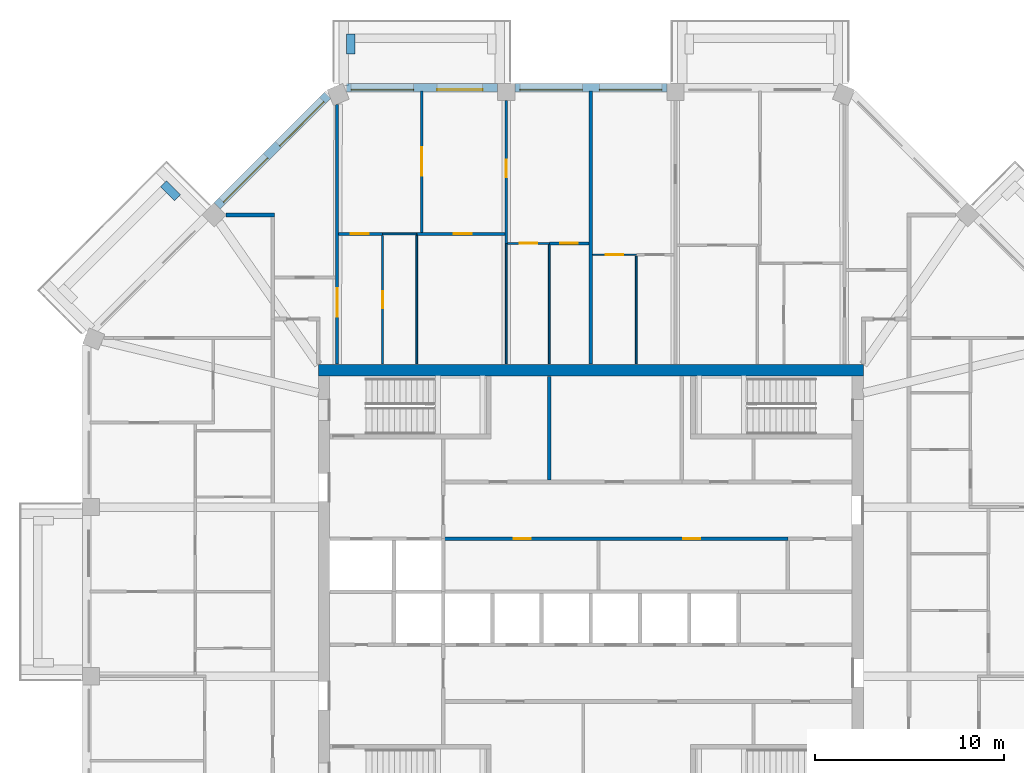
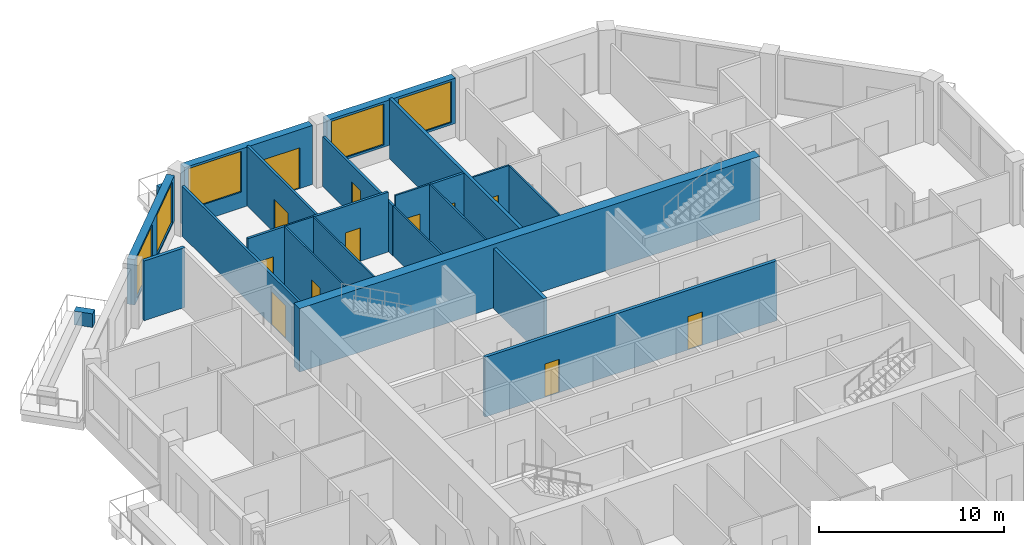
# One storey, part 8 of 13: 24 walls, 12 doors, 5 windows, 17 openings.
"""IFC4 building model written with IfcOpenShell, lengths in metres."""

from ifc_helpers import new_model, si_unit, direction, frame, frame_2d, origin, place, context, subcontext, project, spatial, rectangle, extrude, material, layer, layer_set, type_object, element, fill, save


model = new_model("IFC4")

# Units and contexts
model_context = context("Model", 3, precision=1e-05, world=origin(), true_north=direction((0.0, 1.0)))
body_context = subcontext(model_context, "Body", "Model", "MODEL_VIEW")
ifc_project = project(units=[si_unit("LENGTHUNIT", "METRE"), si_unit("AREAUNIT", "SQUARE_METRE"), si_unit("VOLUMEUNIT", "CUBIC_METRE"), si_unit("PLANEANGLEUNIT", "RADIAN"), si_unit("MASSUNIT", "GRAM", prefix="KILO")], contexts=[model_context])

# Site, building, storey
site_placement = place(None, origin())
site = spatial("IfcSite", under=ifc_project, at=site_placement, CompositionType="ELEMENT")
building_placement = place(site_placement, origin())
building = spatial("IfcBuilding", under=site, at=building_placement, Name="Msitu Wima Residences", CompositionType="ELEMENT")
storey_placement = place(building_placement, frame((0.0, 0.0, 285.300048828125)))
storey = spatial("IfcBuildingStorey", under=building, at=storey_placement, Name="L66", CompositionType="ELEMENT", Elevation=285.300048828125)

# Walls
ifc_material_1 = material(Name="Facing brick")
ifc_layer_1 = layer(ifc_material_1, 0.06494140625, Name="Facing brick")
ifc_material_2 = material(Name="Concrete C40/50", Category="concrete")
ifc_layer_2 = layer(ifc_material_2, 0.156005859375, Name="Concrete C40/50")
ifc_material_3 = material(Name="Waterproofing membrane")
ifc_layer_3 = layer(ifc_material_3, 0.00390625, Name="Waterproofing membrane")
ifc_material_4 = material(Name="Planting soil and planting")
ifc_layer_4 = layer(ifc_material_4, 0.22509765625, Name="Planting soil and planting")
ifc_layer_set_1 = layer_set([ifc_layer_1, ifc_layer_2, ifc_layer_3, ifc_layer_4], Name="Concrete C40/50")
wall_type_1 = type_object("IfcWallType", Name="Balcony planter PLANTER PL450", PredefinedType="USERDEFINED", material=ifc_layer_set_1)
for number, where, z_axis, x_axis, name in (
    (1, (-12.680908203125, 28.39990234375, 0.0), (0.0, 0.0, 1.0), (0.0, 1.0, 0.0), "Balcony planter N2 L66"),
    (2, (-21.829833984375, 20.804443359375, 0.0), (0.0, 0.0, 1.0), (-0.707106781187, 0.707106781187, 0.0), "Balcony planter NW1 L66"),
):
    element("IfcWall", number, at=place(storey_placement, frame(where, z_axis=z_axis, x_axis=x_axis)), inside=storey, type_object=wall_type_1, Name=name, ObjectType="PLANTER", PredefinedType="USERDEFINED", context=body_context, shape_type="SweptSolid", body=[
        extrude(rectangle(XDim=1.050048828125, YDim=0.449951171875, at=frame_2d((0.52490234375, 0.0))), origin(), (0.0, 0.0, 1.0), 0.89990234375),
    ])

# Wall, openings, windows
ifc_material_5 = material(Name="Brick (red buff mix)", Category="masonry")
ifc_layer_5 = layer(ifc_material_5, 0.449951171875)
ifc_layer_set_2 = layer_set([ifc_layer_5], Name="Brick (red buff mix)")
wall_type_2 = type_object("IfcWallType", Name="Brick infill wall BW450", PredefinedType="SOLIDWALL", material=ifc_layer_set_2)
wall_1_placement = place(storey_placement, frame((4.0185546875, 26.625, 0.89990234375), z_axis=(0.0, 0.0, 1.0), x_axis=(-1.0, 0.0, 0.0)))
wall_1 = element("IfcWall", 3, at=wall_1_placement, inside=storey, type_object=wall_type_2, Name="Brick infill wall L66 N1", PredefinedType="SOLIDWALL", context=body_context, shape_type="SweptSolid", body=[
    extrude(rectangle(XDim=8.037109375, YDim=0.449951171875, at=frame_2d((4.0185546875, 0.0))), origin(), (0.0, 0.0, 1.0), 3.0),
])
opening_1_placement = place(wall_1_placement, frame((0.2685546875, 0.0, 0.14990234375)))
opening_1 = element("IfcOpeningElement", 4, at=opening_1_placement, cuts=wall_1, Name="Opening W65-67.007", PredefinedType="OPENING", context=body_context, shape_type="SweptSolid", body=[
    extrude(rectangle(XDim=3.300048828125, YDim=2.699951171875, at=frame_2d((1.64990234375, 1.35009765625))), frame((0.0, 0.23486328125, 0.0), z_axis=(0.0, -1.0, 0.0), x_axis=(1.0, 0.0, 0.0)), (0.0, 0.0, 1.0), 0.469970703125),
])
opening_2_placement = place(wall_1_placement, frame((4.46875, 0.0, 0.14990234375)))
opening_2 = element("IfcOpeningElement", 5, at=opening_2_placement, cuts=wall_1, Name="Opening W65-67.008", PredefinedType="OPENING", context=body_context, shape_type="SweptSolid", body=[
    extrude(rectangle(XDim=3.300048828125, YDim=2.699951171875, at=frame_2d((1.64990234375, 1.35009765625))), frame((0.0, 0.23486328125, 0.0), z_axis=(0.0, -1.0, 0.0), x_axis=(1.0, 0.0, 0.0)), (0.0, 0.0, 1.0), 0.469970703125),
])
ifc_material_6 = material(Name="Anodised aluminium, bronze finish, clear low-emissivity double glazing", Category="aluminium")
window_type = type_object("IfcWindowType", Name="Window W3300x2700", PartitioningType="DOUBLE_PANEL_VERTICAL", PredefinedType="WINDOW", material=ifc_material_6)
window_1_placement = place(opening_1_placement, origin())
window_1 = element("IfcWindow", 6, at=window_1_placement, inside=storey, type_object=window_type, Name="Window L66 N1.1", OverallHeight=2.699951171875, OverallWidth=3.300048828125, PartitioningType="SINGLE_PANEL", PredefinedType="WINDOW", context=body_context, shape_type="SweptSolid", body=[
    extrude(rectangle(XDim=3.300048828125, YDim=2.699951171875, at=frame_2d((1.64990234375, 1.35009765625))), frame((0.0, 0.135009765625, 0.0), z_axis=(0.0, -1.0, 0.0), x_axis=(1.0, 0.0, 0.0)), (0.0, 0.0, 1.0), 0.06005859375),
])
fill(opening_1, window_1)
window_2_placement = place(opening_2_placement, origin())
window_2 = element("IfcWindow", 7, at=window_2_placement, inside=storey, type_object=window_type, Name="Window L66 N1.2", OverallHeight=2.699951171875, OverallWidth=3.300048828125, PartitioningType="SINGLE_PANEL", PredefinedType="WINDOW", context=body_context, shape_type="SweptSolid", body=[
    extrude(rectangle(XDim=3.300048828125, YDim=2.699951171875, at=frame_2d((1.64990234375, 1.35009765625))), frame((0.0, 0.135009765625, 0.0), z_axis=(0.0, -1.0, 0.0), x_axis=(1.0, 0.0, 0.0)), (0.0, 0.0, 1.0), 0.06005859375),
])
fill(opening_2, window_2)

# Wall, openings, door, window
wall_2_placement = place(storey_placement, frame((-4.918701171875, 26.625, 0.0), z_axis=(0.0, 0.0, 1.0), x_axis=(-1.0, 0.0, 0.0)))
wall_2 = element("IfcWall", 8, at=wall_2_placement, inside=storey, type_object=wall_type_2, Name="Brick infill wall L66 N2", PredefinedType="SOLIDWALL", context=body_context, shape_type="SweptSolid", body=[
    extrude(rectangle(XDim=8.0, YDim=0.449951171875, at=frame_2d((4.0, 0.0))), origin(), (0.0, 0.0, 1.0), 3.89990234375),
])
opening_3_placement = place(wall_2_placement, frame((0.800048828125, 0.0, 0.0)))
opening_3 = element("IfcOpeningElement", 9, at=opening_3_placement, cuts=wall_2, Name="Opening D65-67.003", PredefinedType="OPENING", context=body_context, shape_type="SweptSolid", body=[
    extrude(rectangle(XDim=2.39990234375, YDim=2.699951171875, at=frame_2d((1.199951171875, 1.35009765625))), frame((0.0, 0.23486328125, 0.0), z_axis=(0.0, -1.0, 0.0), x_axis=(1.0, 0.0, 0.0)), (0.0, 0.0, 1.0), 0.469970703125),
])
opening_4_placement = place(wall_2_placement, frame((4.4501953125, 0.0, 1.050048828125)))
opening_4 = element("IfcOpeningElement", 10, at=opening_4_placement, cuts=wall_2, Name="Opening W65-67.009", PredefinedType="OPENING", context=body_context, shape_type="SweptSolid", body=[
    extrude(rectangle(XDim=3.300048828125, YDim=2.699951171875, at=frame_2d((1.64990234375, 1.35009765625))), frame((0.0, 0.23486328125, 0.0), z_axis=(0.0, -1.0, 0.0), x_axis=(1.0, 0.0, 0.0)), (0.0, 0.0, 1.0), 0.469970703125),
])
door_type_1 = type_object("IfcDoorType", Name="Balcony door D2400x2700", OperationType="SLIDING_TO_LEFT", PredefinedType="DOOR", material=ifc_material_6)
door_1_placement = place(opening_3_placement, origin())
door_1 = element("IfcDoor", 11, at=door_1_placement, inside=storey, type_object=door_type_1, Name="Balcony door L66 N2", OperationType="SINGLE_SWING_LEFT", OverallHeight=2.699951171875, OverallWidth=2.39990234375, PredefinedType="DOOR", context=body_context, shape_type="SweptSolid", body=[
    extrude(rectangle(XDim=2.39990234375, YDim=2.699951171875, at=frame_2d((1.199951171875, 1.35009765625))), frame((0.0, 0.1298828125, 0.0), z_axis=(0.0, -1.0, 0.0), x_axis=(1.0, 0.0, 0.0)), (0.0, 0.0, 1.0), 0.050048828125),
])
fill(opening_3, door_1)
window_3_placement = place(opening_4_placement, origin())
window_3 = element("IfcWindow", 12, at=window_3_placement, inside=storey, type_object=window_type, Name="Window L66 N2.2", OverallHeight=2.699951171875, OverallWidth=3.300048828125, PartitioningType="SINGLE_PANEL", PredefinedType="WINDOW", context=body_context, shape_type="SweptSolid", body=[
    extrude(rectangle(XDim=3.300048828125, YDim=2.699951171875, at=frame_2d((1.64990234375, 1.35009765625))), frame((0.0, 0.135009765625, 0.0), z_axis=(0.0, -1.0, 0.0), x_axis=(1.0, 0.0, 0.0)), (0.0, 0.0, 1.0), 0.06005859375),
])
fill(opening_4, window_3)

# Wall, openings, windows
wall_3_placement = place(storey_placement, frame((-13.909423828125, 26.214599609375, 0.89990234375), z_axis=(0.0, 0.0, 1.0), x_axis=(-0.707106781187, -0.707106781187, 0.0)))
wall_3 = element("IfcWall", 13, at=wall_3_placement, inside=storey, type_object=wall_type_2, Name="Brick infill wall L66 NW0", PredefinedType="SOLIDWALL", context=body_context, shape_type="SweptSolid", body=[
    extrude(rectangle(XDim=8.251220703125, YDim=0.449951171875, at=frame_2d((4.12548828125, 0.0))), origin(), (0.0, 0.0, 1.0), 3.0),
])
opening_5_placement = place(wall_3_placement, frame((0.37548828125, 0.0, 0.14990234375)))
opening_5 = element("IfcOpeningElement", 14, at=opening_5_placement, cuts=wall_3, Name="Opening W65-67.013", PredefinedType="OPENING", context=body_context, shape_type="SweptSolid", body=[
    extrude(rectangle(XDim=3.300048828125, YDim=2.699951171875, at=frame_2d((1.64990234375, 1.35009765625))), frame((0.0, 0.23486328125, 0.0), z_axis=(0.0, -1.0, 0.0), x_axis=(1.0, 0.0, 0.0)), (0.0, 0.0, 1.0), 0.469970703125),
])
opening_6_placement = place(wall_3_placement, frame((4.57568359375, 0.0, 0.14990234375)))
opening_6 = element("IfcOpeningElement", 15, at=opening_6_placement, cuts=wall_3, Name="Opening W65-67.014", PredefinedType="OPENING", context=body_context, shape_type="SweptSolid", body=[
    extrude(rectangle(XDim=3.300048828125, YDim=2.699951171875, at=frame_2d((1.64990234375, 1.35009765625))), frame((0.0, 0.23486328125, 0.0), z_axis=(0.0, -1.0, 0.0), x_axis=(1.0, 0.0, 0.0)), (0.0, 0.0, 1.0), 0.469970703125),
])
window_4_placement = place(opening_5_placement, origin())
window_4 = element("IfcWindow", 16, at=window_4_placement, inside=storey, type_object=window_type, Name="Window L66 NW0.1", OverallHeight=2.699951171875, OverallWidth=3.300048828125, PartitioningType="SINGLE_PANEL", PredefinedType="WINDOW", context=body_context, shape_type="SweptSolid", body=[
    extrude(rectangle(XDim=3.300048828125, YDim=2.699951171875, at=frame_2d((1.64990234375, 1.35009765625))), frame((0.0, 0.135009765625, 0.0), z_axis=(0.0, -1.0, 0.0), x_axis=(1.0, 0.0, 0.0)), (0.0, 0.0, 1.0), 0.06005859375),
])
fill(opening_5, window_4)
window_5_placement = place(opening_6_placement, origin())
window_5 = element("IfcWindow", 17, at=window_5_placement, inside=storey, type_object=window_type, Name="Window L66 NW0.2", OverallHeight=2.699951171875, OverallWidth=3.300048828125, PartitioningType="SINGLE_PANEL", PredefinedType="WINDOW", context=body_context, shape_type="SweptSolid", body=[
    extrude(rectangle(XDim=3.300048828125, YDim=2.699951171875, at=frame_2d((1.64990234375, 1.35009765625))), frame((0.0, 0.135009765625, 0.0), z_axis=(0.0, -1.0, 0.0), x_axis=(1.0, 0.0, 0.0)), (0.0, 0.0, 1.0), 0.06005859375),
])
fill(opening_6, window_5)

# Wall
ifc_material_7 = material(Name="Concrete C50/60", Category="concrete")
ifc_layer_6 = layer(ifc_material_7, 0.60009765625)
ifc_layer_set_3 = layer_set([ifc_layer_6], Name="Concrete C50/60")
wall_type_3 = type_object("IfcWallType", Name="Core wall CW600 C50/60", PredefinedType="SHEAR", material=ifc_layer_set_3)
wall_4_placement = place(storey_placement, frame((-14.39990234375, 11.699951171875, 0.0), z_axis=(0.0, 0.0, 1.0), x_axis=(1.0, 0.0, 0.0)))
element("IfcWall", 18, at=wall_4_placement, inside=storey, type_object=wall_type_3, Name="Core wall", PredefinedType="SHEAR", context=body_context, shape_type="SweptSolid", body=[
    extrude(rectangle(XDim=28.7998046875, YDim=0.60009765625, at=frame_2d((14.39990234375, 0.0))), origin(), (0.0, 0.0, 1.0), 4.199951171875),
])

# Wall, openings, doors
ifc_material_8 = material(Name="Plaster")
ifc_layer_7 = layer(ifc_material_8, 0.011962890625, Name="Plaster")
ifc_material_9 = material(Name="Concrete blockwork", Category="masonry")
ifc_layer_8 = layer(ifc_material_9, 0.176025390625, Name="Concrete blockwork")
ifc_layer_9 = layer(ifc_material_8, 0.011962890625, Name="Plaster")
ifc_layer_set_4 = layer_set([ifc_layer_7, ifc_layer_8, ifc_layer_9], Name="Concrete blockwork")
wall_type_4 = type_object("IfcWallType", Name="Corridor wall FW200", PredefinedType="PARTITIONING", material=ifc_layer_set_4)
wall_5_placement = place(storey_placement, frame((-7.820068359375, 2.800048828125, 0.0), z_axis=(0.0, 0.0, 1.0), x_axis=(1.0, 0.0, 0.0)))
wall_5 = element("IfcWall", 19, at=wall_5_placement, inside=storey, type_object=wall_type_4, Name="Corridor wall", PredefinedType="PARTITIONING", context=body_context, shape_type="SweptSolid", body=[
    extrude(rectangle(XDim=18.239990234375, YDim=0.199951171875, at=frame_2d((9.1201171875, 0.0))), origin(), (0.0, 0.0, 1.0), 3.949951171875),
])
opening_7_placement = place(wall_5_placement, frame((3.75, 0.0, 0.0)))
opening_7 = element("IfcOpeningElement", 20, at=opening_7_placement, cuts=wall_5, Name="Opening D65-67.088", PredefinedType="OPENING", context=body_context, shape_type="SweptSolid", body=[
    extrude(rectangle(XDim=0.89990234375, YDim=2.199951171875, at=frame_2d((0.449951171875, 1.10009765625))), frame((0.0, 0.10986328125, 0.0), z_axis=(0.0, -1.0, 0.0), x_axis=(1.0, 0.0, 0.0)), (0.0, 0.0, 1.0), 0.219970703125),
])
opening_8_placement = place(wall_5_placement, frame((12.699951171875, 0.0, 0.0)))
opening_8 = element("IfcOpeningElement", 21, at=opening_8_placement, cuts=wall_5, Name="Opening D65-67.089", PredefinedType="OPENING", context=body_context, shape_type="SweptSolid", body=[
    extrude(rectangle(XDim=0.89990234375, YDim=2.199951171875, at=frame_2d((0.449951171875, 1.10009765625))), frame((0.0, 0.10986328125, 0.0), z_axis=(0.0, -1.0, 0.0), x_axis=(1.0, 0.0, 0.0)), (0.0, 0.0, 1.0), 0.219970703125),
])
ifc_material_10 = material(Name="Timber flush door", Category="wood")
door_type_2 = type_object("IfcDoorType", Name="Service door D05 900x2200", OperationType="SINGLE_SWING_LEFT", PredefinedType="DOOR", material=ifc_material_10)
door_2_placement = place(opening_7_placement, origin())
door_2 = element("IfcDoor", 22, at=door_2_placement, inside=storey, type_object=door_type_2, Name="Service door", OperationType="SINGLE_SWING_RIGHT", OverallHeight=2.199951171875, OverallWidth=0.89990234375, PredefinedType="DOOR", context=body_context, shape_type="SweptSolid", body=[
    extrude(rectangle(XDim=0.89990234375, YDim=2.199951171875, at=frame_2d((0.449951171875, 1.10009765625))), frame((0.0, 0.02490234375, 0.0), z_axis=(0.0, -1.0, 0.0), x_axis=(1.0, 0.0, 0.0)), (0.0, 0.0, 1.0), 0.050048828125),
])
fill(opening_7, door_2)
door_3_placement = place(opening_8_placement, origin())
door_3 = element("IfcDoor", 23, at=door_3_placement, inside=storey, type_object=door_type_2, Name="Service door", OperationType="SINGLE_SWING_LEFT", OverallHeight=2.199951171875, OverallWidth=0.89990234375, PredefinedType="DOOR", context=body_context, shape_type="SweptSolid", body=[
    extrude(rectangle(XDim=0.89990234375, YDim=2.199951171875, at=frame_2d((0.449951171875, 1.10009765625))), frame((0.0, 0.02490234375, 0.0), z_axis=(0.0, -1.0, 0.0), x_axis=(1.0, 0.0, 0.0)), (0.0, 0.0, 1.0), 0.050048828125),
])
fill(opening_8, door_3)

# Wall, opening, door
ifc_layer_10 = layer(ifc_material_8, 0.011962890625, Name="Plaster")
ifc_layer_11 = layer(ifc_material_9, 0.1259765625, Name="Concrete blockwork")
ifc_layer_12 = layer(ifc_material_8, 0.011962890625, Name="Plaster")
ifc_layer_set_5 = layer_set([ifc_layer_10, ifc_layer_11, ifc_layer_12], Name="Concrete blockwork")
wall_type_5 = type_object("IfcWallType", Name="Partition PW150", PredefinedType="PARTITIONING", material=ifc_layer_set_5)
wall_6_placement = place(storey_placement, frame((-13.406005859375, 12.030029296875, 0.0), z_axis=(0.0, 0.0, 1.0), x_axis=(0.0, 1.0, 0.0)))
wall_6 = element("IfcWall", 24, at=wall_6_placement, inside=storey, type_object=wall_type_5, Name="Partition", PredefinedType="PARTITIONING", context=body_context, shape_type="SweptSolid", body=[
    extrude(rectangle(XDim=13.701171875, YDim=0.14990234375, at=frame_2d((6.8505859375, 0.0))), origin(), (0.0, 0.0, 1.0), 3.300048828125),
])
opening_9_placement = place(wall_6_placement, frame((2.5, 0.0, 0.0)))
opening_9 = element("IfcOpeningElement", 25, at=opening_9_placement, cuts=wall_6, Name="Opening D65-67.033", PredefinedType="OPENING", context=body_context, shape_type="SweptSolid", body=[
    extrude(rectangle(XDim=1.5, YDim=2.199951171875, at=frame_2d((0.75, 1.10009765625))), frame((0.0, 0.0849609375, 0.0), z_axis=(0.0, -1.0, 0.0), x_axis=(1.0, 0.0, 0.0)), (0.0, 0.0, 1.0), 0.169921875),
])
ifc_material_11 = material(Name="Timber double door", Category="wood")
door_type_3 = type_object("IfcDoorType", Name="Double door D04 1500x2200", OperationType="DOUBLE_DOOR_SINGLE_SWING", PredefinedType="DOOR", material=ifc_material_11)
door_4_placement = place(opening_9_placement, origin())
door_4 = element("IfcDoor", 26, at=door_4_placement, inside=storey, type_object=door_type_3, Name="Double door", OperationType="DOUBLE_DOOR_SINGLE_SWING", OverallHeight=2.199951171875, OverallWidth=1.5, PredefinedType="DOOR", context=body_context, shape_type="SweptSolid", body=[
    extrude(rectangle(XDim=1.5, YDim=2.199951171875, at=frame_2d((0.75, 1.10009765625))), frame((0.0, 0.02490234375, 0.0), z_axis=(0.0, -1.0, 0.0), x_axis=(1.0, 0.0, 0.0)), (0.0, 0.0, 1.0), 0.050048828125),
])
fill(opening_9, door_4)

wall_7_placement = place(storey_placement, frame((-13.330810546875, 18.89990234375, 0.0), z_axis=(0.0, 0.0, 1.0), x_axis=(1.0, 0.0, 0.0)))
wall_7 = element("IfcWall", 27, at=wall_7_placement, inside=storey, type_object=wall_type_5, Name="Partition", PredefinedType="PARTITIONING", context=body_context, shape_type="SweptSolid", body=[
    extrude(rectangle(XDim=2.330810546875, YDim=0.14990234375, at=frame_2d((1.16552734375, 0.0))), origin(), (0.0, 0.0, 1.0), 3.949951171875),
])
opening_10_placement = place(wall_7_placement, frame((0.64990234375, 0.0, 0.0)))
opening_10 = element("IfcOpeningElement", 28, at=opening_10_placement, cuts=wall_7, Name="Opening D65-67.034", PredefinedType="OPENING", context=body_context, shape_type="SweptSolid", body=[
    extrude(rectangle(XDim=0.949951171875, YDim=2.199951171875, at=frame_2d((0.47509765625, 1.10009765625))), frame((0.0, 0.0849609375, 0.0), z_axis=(0.0, -1.0, 0.0), x_axis=(1.0, 0.0, 0.0)), (0.0, 0.0, 1.0), 0.169921875),
])
door_type_4 = type_object("IfcDoorType", Name="Room door D12 950x2200", OperationType="SINGLE_SWING_LEFT", PredefinedType="DOOR", material=ifc_material_10)
door_5_placement = place(opening_10_placement, origin())
door_5 = element("IfcDoor", 29, at=door_5_placement, inside=storey, type_object=door_type_4, Name="Room door", OperationType="SINGLE_SWING_LEFT", OverallHeight=2.199951171875, OverallWidth=0.949951171875, PredefinedType="DOOR", context=body_context, shape_type="SweptSolid", body=[
    extrude(rectangle(XDim=0.949951171875, YDim=2.199951171875, at=frame_2d((0.47509765625, 1.10009765625))), frame((0.0, 0.02490234375, 0.0), z_axis=(0.0, -1.0, 0.0), x_axis=(1.0, 0.0, 0.0)), (0.0, 0.0, 1.0), 0.050048828125),
])
fill(opening_10, door_5)

wall_8_placement = place(storey_placement, frame((-9.199951171875, 18.89990234375, 0.0), z_axis=(0.0, 0.0, 1.0), x_axis=(1.0, 0.0, 0.0)))
wall_8 = element("IfcWall", 30, at=wall_8_placement, inside=storey, type_object=wall_type_5, Name="Partition", PredefinedType="PARTITIONING", context=body_context, shape_type="SweptSolid", body=[
    extrude(rectangle(XDim=4.65625, YDim=0.14990234375, at=frame_2d((2.328125, 0.0))), origin(), (0.0, 0.0, 1.0), 3.949951171875),
])
opening_11_placement = place(wall_8_placement, frame((1.949951171875, 0.0, 0.0)))
opening_11 = element("IfcOpeningElement", 31, at=opening_11_placement, cuts=wall_8, Name="Opening D65-67.038", PredefinedType="OPENING", context=body_context, shape_type="SweptSolid", body=[
    extrude(rectangle(XDim=0.949951171875, YDim=2.199951171875, at=frame_2d((0.47509765625, 1.10009765625))), frame((0.0, 0.0849609375, 0.0), z_axis=(0.0, -1.0, 0.0), x_axis=(1.0, 0.0, 0.0)), (0.0, 0.0, 1.0), 0.169921875),
])
door_6_placement = place(opening_11_placement, origin())
door_6 = element("IfcDoor", 32, at=door_6_placement, inside=storey, type_object=door_type_4, Name="Room door", OperationType="SINGLE_SWING_LEFT", OverallHeight=2.199951171875, OverallWidth=0.949951171875, PredefinedType="DOOR", context=body_context, shape_type="SweptSolid", body=[
    extrude(rectangle(XDim=0.949951171875, YDim=2.199951171875, at=frame_2d((0.47509765625, 1.10009765625))), frame((0.0, 0.02490234375, 0.0), z_axis=(0.0, -1.0, 0.0), x_axis=(1.0, 0.0, 0.0)), (0.0, 0.0, 1.0), 0.050048828125),
])
fill(opening_11, door_6)

wall_9_placement = place(storey_placement, frame((-8.937255859375, 18.97509765625, 0.0), z_axis=(0.0, 0.0, 1.0), x_axis=(0.0, 1.0, 0.0)))
wall_9 = element("IfcWall", 33, at=wall_9_placement, inside=storey, type_object=wall_type_5, Name="Partition", PredefinedType="PARTITIONING", context=body_context, shape_type="SweptSolid", body=[
    extrude(rectangle(XDim=7.47998046875, YDim=0.14990234375, at=frame_2d((3.739990234375, 0.0))), origin(), (0.0, 0.0, 1.0), 3.949951171875),
])
opening_12_placement = place(wall_9_placement, frame((3.0, 0.0, 0.0)))
opening_12 = element("IfcOpeningElement", 34, at=opening_12_placement, cuts=wall_9, Name="Opening D65-67.037", PredefinedType="OPENING", context=body_context, shape_type="SweptSolid", body=[
    extrude(rectangle(XDim=1.5, YDim=2.199951171875, at=frame_2d((0.75, 1.10009765625))), frame((0.0, 0.0849609375, 0.0), z_axis=(0.0, -1.0, 0.0), x_axis=(1.0, 0.0, 0.0)), (0.0, 0.0, 1.0), 0.169921875),
])
door_7_placement = place(opening_12_placement, origin())
door_7 = element("IfcDoor", 35, at=door_7_placement, inside=storey, type_object=door_type_3, Name="Double door", OperationType="DOUBLE_DOOR_SINGLE_SWING", OverallHeight=2.199951171875, OverallWidth=1.5, PredefinedType="DOOR", context=body_context, shape_type="SweptSolid", body=[
    extrude(rectangle(XDim=1.5, YDim=2.199951171875, at=frame_2d((0.75, 1.10009765625))), frame((0.0, 0.02490234375, 0.0), z_axis=(0.0, -1.0, 0.0), x_axis=(1.0, 0.0, 0.0)), (0.0, 0.0, 1.0), 0.050048828125),
])
fill(opening_12, door_7)

wall_10_placement = place(storey_placement, frame((-4.46875, 18.3798828125, 0.0), z_axis=(0.0, 0.0, 1.0), x_axis=(0.0, 1.0, 0.0)))
wall_10 = element("IfcWall", 36, at=wall_10_placement, inside=storey, type_object=wall_type_5, Name="Partition", PredefinedType="PARTITIONING", context=body_context, shape_type="SweptSolid", body=[
    extrude(rectangle(XDim=7.570068359375, YDim=0.14990234375, at=frame_2d((3.78515625, 0.0))), origin(), (0.0, 0.0, 1.0), 3.300048828125),
])
opening_13_placement = place(wall_10_placement, frame((3.5, 0.0, 0.0)))
opening_13 = element("IfcOpeningElement", 37, at=opening_13_placement, cuts=wall_10, Name="Opening D65-67.039", PredefinedType="OPENING", context=body_context, shape_type="SweptSolid", body=[
    extrude(rectangle(XDim=0.949951171875, YDim=2.199951171875, at=frame_2d((0.47509765625, 1.10009765625))), frame((0.0, 0.0849609375, 0.0), z_axis=(0.0, -1.0, 0.0), x_axis=(1.0, 0.0, 0.0)), (0.0, 0.0, 1.0), 0.169921875),
])
door_8_placement = place(opening_13_placement, origin())
door_8 = element("IfcDoor", 38, at=door_8_placement, inside=storey, type_object=door_type_4, Name="Room door", OperationType="SINGLE_SWING_LEFT", OverallHeight=2.199951171875, OverallWidth=0.949951171875, PredefinedType="DOOR", context=body_context, shape_type="SweptSolid", body=[
    extrude(rectangle(XDim=0.949951171875, YDim=2.199951171875, at=frame_2d((0.47509765625, 1.10009765625))), frame((0.0, 0.02490234375, 0.0), z_axis=(0.0, -1.0, 0.0), x_axis=(1.0, 0.0, 0.0)), (0.0, 0.0, 1.0), 0.050048828125),
])
fill(opening_13, door_8)

wall_11_placement = place(storey_placement, frame((-2.179931640625, 18.39990234375, 0.0), z_axis=(0.0, 0.0, 1.0), x_axis=(1.0, 0.0, 0.0)))
wall_11 = element("IfcWall", 39, at=wall_11_placement, inside=storey, type_object=wall_type_5, Name="Partition", PredefinedType="PARTITIONING", context=body_context, shape_type="SweptSolid", body=[
    extrude(rectangle(XDim=2.079833984375, YDim=0.14990234375, at=frame_2d((1.0400390625, 0.0))), origin(), (0.0, 0.0, 1.0), 3.949951171875),
])
opening_14_placement = place(wall_11_placement, frame((0.550048828125, 0.0, 0.0)))
opening_14 = element("IfcOpeningElement", 40, at=opening_14_placement, cuts=wall_11, Name="Opening D65-67.040", PredefinedType="OPENING", context=body_context, shape_type="SweptSolid", body=[
    extrude(rectangle(XDim=0.949951171875, YDim=2.199951171875, at=frame_2d((0.47509765625, 1.10009765625))), frame((0.0, 0.0849609375, 0.0), z_axis=(0.0, -1.0, 0.0), x_axis=(1.0, 0.0, 0.0)), (0.0, 0.0, 1.0), 0.169921875),
])
door_9_placement = place(opening_14_placement, origin())
door_9 = element("IfcDoor", 41, at=door_9_placement, inside=storey, type_object=door_type_4, Name="Room door", OperationType="SINGLE_SWING_RIGHT", OverallHeight=2.199951171875, OverallWidth=0.949951171875, PredefinedType="DOOR", context=body_context, shape_type="SweptSolid", body=[
    extrude(rectangle(XDim=0.949951171875, YDim=2.199951171875, at=frame_2d((0.47509765625, 1.10009765625))), frame((0.0, 0.02490234375, 0.0), z_axis=(0.0, -1.0, 0.0), x_axis=(1.0, 0.0, 0.0)), (0.0, 0.0, 1.0), 0.050048828125),
])
fill(opening_14, door_9)

# Walls
ifc_layer_13 = layer(ifc_material_8, 0.011962890625, Name="Plaster")
ifc_material_12 = material(Name="Dense concrete blockwork", Category="masonry")
ifc_layer_14 = layer(ifc_material_12, 0.176025390625, Name="Dense concrete blockwork")
ifc_layer_15 = layer(ifc_material_8, 0.011962890625, Name="Plaster")
ifc_layer_set_6 = layer_set([ifc_layer_13, ifc_layer_14, ifc_layer_15], Name="Dense concrete blockwork")
wall_type_6 = type_object("IfcWallType", Name="Party wall PW200", PredefinedType="PARTITIONING", material=ifc_layer_set_6)
wall_12_placement = place(storey_placement, frame((-19.2666015625, 19.90283203125, 0.0), z_axis=(0.0, 0.0, 1.0), x_axis=(1.0, 0.0, 0.0)))
element("IfcWall", 42, at=wall_12_placement, inside=storey, type_object=wall_type_6, Name="Party wall", PredefinedType="PARTITIONING", context=body_context, shape_type="SweptSolid", body=[
    extrude(rectangle(XDim=2.566650390625, YDim=0.199951171875, at=frame_2d((1.283203125, 0.0))), origin(), (0.0, 0.0, 1.0), 3.949951171875),
])
wall_13_placement = place(storey_placement, frame((0.0, 12.030029296875, 0.0), z_axis=(0.0, 0.0, 1.0), x_axis=(0.0, 1.0, 0.0)))
element("IfcWall", 43, at=wall_13_placement, inside=storey, type_object=wall_type_6, Name="Party wall", PredefinedType="PARTITIONING", context=body_context, shape_type="SweptSolid", body=[
    extrude(rectangle(XDim=14.425048828125, YDim=0.199951171875, at=frame_2d((7.21240234375, 0.0))), origin(), (0.0, 0.0, 1.0), 3.949951171875),
])
ifc_layer_16 = layer(ifc_material_8, 0.011962890625, Name="Plaster")
ifc_material_13 = material(Name="Reinforced concrete blockwork", Category="masonry")
ifc_layer_17 = layer(ifc_material_13, 0.176025390625, Name="Reinforced concrete blockwork")
ifc_layer_18 = layer(ifc_material_8, 0.011962890625, Name="Plaster")
ifc_layer_set_7 = layer_set([ifc_layer_16, ifc_layer_17, ifc_layer_18], Name="Reinforced concrete blockwork")
wall_type_7 = type_object("IfcWallType", Name="Plant and riser wall PL200", PredefinedType="PARTITIONING", material=ifc_layer_set_7)
wall_14_placement = place(storey_placement, frame((-2.199951171875, 5.89990234375, 0.0), z_axis=(0.0, 0.0, 1.0), x_axis=(0.0, 1.0, 0.0)))
element("IfcWall", 44, at=wall_14_placement, inside=storey, type_object=wall_type_7, Name="Plant and riser wall", PredefinedType="PARTITIONING", context=body_context, shape_type="SweptSolid", body=[
    extrude(rectangle(XDim=5.47021484375, YDim=0.199951171875, at=frame_2d((2.735107421875, 0.0))), origin(), (0.0, 0.0, 1.0), 3.949951171875),
])

# Wall, opening, door
ifc_material_14 = material(Name="Ceramic tiles")
ifc_layer_19 = layer(ifc_material_14, 0.008056640625, Name="Ceramic tiles")
ifc_material_15 = material(Name="Moisture-resistant board")
ifc_layer_20 = layer(ifc_material_15, 0.012451171875, Name="Moisture-resistant board")
ifc_material_16 = material(Name="Light-gauge stud framing with mineral wool")
ifc_layer_21 = layer(ifc_material_16, 0.06689453125, Name="Light-gauge stud framing with mineral wool")
ifc_layer_22 = layer(ifc_material_15, 0.012451171875, Name="Moisture-resistant board")
ifc_layer_set_8 = layer_set([ifc_layer_19, ifc_layer_20, ifc_layer_21, ifc_layer_22], Name="Light-gauge stud framing with mineral wool")
wall_type_8 = type_object("IfcWallType", Name="Wet wall PW100", PredefinedType="PARTITIONING", material=ifc_layer_set_8)
wall_15_placement = place(storey_placement, frame((-11.0, 12.030029296875, 0.0), z_axis=(0.0, 0.0, 1.0), x_axis=(0.0, 1.0, 0.0)))
wall_15 = element("IfcWall", 45, at=wall_15_placement, inside=storey, type_object=wall_type_8, Name="Wet wall", PredefinedType="PARTITIONING", context=body_context, shape_type="SweptSolid", body=[
    extrude(rectangle(XDim=6.794921875, YDim=0.10009765625, at=frame_2d((3.3974609375, 0.0))), origin(), (0.0, 0.0, 1.0), 3.949951171875),
])
opening_15_placement = place(wall_15_placement, frame((2.949951171875, 0.0, 0.0)))
opening_15 = element("IfcOpeningElement", 46, at=opening_15_placement, cuts=wall_15, Name="Opening D65-67.036", PredefinedType="OPENING", context=body_context, shape_type="SweptSolid", body=[
    extrude(rectangle(XDim=0.89990234375, YDim=2.199951171875, at=frame_2d((0.449951171875, 1.10009765625))), frame((0.0, 0.06005859375, 0.0), z_axis=(0.0, -1.0, 0.0), x_axis=(1.0, 0.0, 0.0)), (0.0, 0.0, 1.0), 0.1201171875),
])
ifc_material_17 = material(Name="Timber flush door, moisture resistant", Category="wood")
door_type_5 = type_object("IfcDoorType", Name="Bathroom door D03 900x2200", OperationType="SINGLE_SWING_LEFT", PredefinedType="DOOR", material=ifc_material_17)
door_10_placement = place(opening_15_placement, origin())
door_10 = element("IfcDoor", 47, at=door_10_placement, inside=storey, type_object=door_type_5, Name="Bathroom door", OperationType="SINGLE_SWING_LEFT", OverallHeight=2.199951171875, OverallWidth=0.89990234375, PredefinedType="DOOR", context=body_context, shape_type="SweptSolid", body=[
    extrude(rectangle(XDim=0.89990234375, YDim=2.199951171875, at=frame_2d((0.449951171875, 1.10009765625))), frame((0.0, 0.02490234375, 0.0), z_axis=(0.0, -1.0, 0.0), x_axis=(1.0, 0.0, 0.0)), (0.0, 0.0, 1.0), 0.050048828125),
])
fill(opening_15, door_10)

# Walls
wall_16_placement = place(storey_placement, frame((-11.0, 18.89990234375, 0.0), z_axis=(0.0, 0.0, 1.0), x_axis=(1.0, 0.0, 0.0)))
element("IfcWall", 48, at=wall_16_placement, inside=storey, type_object=wall_type_8, Name="Wet wall", PredefinedType="PARTITIONING", context=body_context, shape_type="SweptSolid", body=[
    extrude(rectangle(XDim=1.800048828125, YDim=0.10009765625, at=frame_2d((0.89990234375, 0.0))), origin(), (0.0, 0.0, 1.0), 3.949951171875),
])
wall_17_placement = place(storey_placement, frame((-9.199951171875, 12.030029296875, 0.0), z_axis=(0.0, 0.0, 1.0), x_axis=(0.0, 1.0, 0.0)))
element("IfcWall", 49, at=wall_17_placement, inside=storey, type_object=wall_type_8, Name="Wet wall", PredefinedType="PARTITIONING", context=body_context, shape_type="SweptSolid", body=[
    extrude(rectangle(XDim=6.794921875, YDim=0.10009765625, at=frame_2d((3.3974609375, 0.0))), origin(), (0.0, 0.0, 1.0), 3.949951171875),
])
wall_18_placement = place(storey_placement, frame((-4.46875, 12.030029296875, 0.0), z_axis=(0.0, 0.0, 1.0), x_axis=(0.0, 1.0, 0.0)))
element("IfcWall", 50, at=wall_18_placement, inside=storey, type_object=wall_type_8, Name="Wet wall", PredefinedType="PARTITIONING", context=body_context, shape_type="SweptSolid", body=[
    extrude(rectangle(XDim=6.349853515625, YDim=0.10009765625, at=frame_2d((3.1748046875, 0.0))), origin(), (0.0, 0.0, 1.0), 3.300048828125),
])

# Wall, opening, door
wall_19_placement = place(storey_placement, frame((-4.3935546875, 18.39990234375, 0.0), z_axis=(0.0, 0.0, 1.0), x_axis=(1.0, 0.0, 0.0)))
wall_19 = element("IfcWall", 51, at=wall_19_placement, inside=storey, type_object=wall_type_8, Name="Wet wall", PredefinedType="PARTITIONING", context=body_context, shape_type="SweptSolid", body=[
    extrude(rectangle(XDim=2.213623046875, YDim=0.10009765625, at=frame_2d((1.10693359375, 0.0))), origin(), (0.0, 0.0, 1.0), 3.949951171875),
])
opening_16_placement = place(wall_19_placement, frame((0.64990234375, 0.0, 0.0)))
opening_16 = element("IfcOpeningElement", 52, at=opening_16_placement, cuts=wall_19, Name="Opening D65-67.041", PredefinedType="OPENING", context=body_context, shape_type="SweptSolid", body=[
    extrude(rectangle(XDim=0.89990234375, YDim=2.199951171875, at=frame_2d((0.449951171875, 1.10009765625))), frame((0.0, 0.06005859375, 0.0), z_axis=(0.0, -1.0, 0.0), x_axis=(1.0, 0.0, 0.0)), (0.0, 0.0, 1.0), 0.1201171875),
])
door_11_placement = place(opening_16_placement, origin())
door_11 = element("IfcDoor", 53, at=door_11_placement, inside=storey, type_object=door_type_5, Name="Bathroom door", OperationType="SINGLE_SWING_LEFT", OverallHeight=2.199951171875, OverallWidth=0.89990234375, PredefinedType="DOOR", context=body_context, shape_type="SweptSolid", body=[
    extrude(rectangle(XDim=0.89990234375, YDim=2.199951171875, at=frame_2d((0.449951171875, 1.10009765625))), frame((0.0, 0.02490234375, 0.0), z_axis=(0.0, -1.0, 0.0), x_axis=(1.0, 0.0, 0.0)), (0.0, 0.0, 1.0), 0.050048828125),
])
fill(opening_16, door_11)

# Wall
wall_20_placement = place(storey_placement, frame((-2.199951171875, 12.030029296875, 0.0), z_axis=(0.0, 0.0, 1.0), x_axis=(0.0, 1.0, 0.0)))
element("IfcWall", 54, at=wall_20_placement, inside=storey, type_object=wall_type_8, Name="Wet wall", PredefinedType="PARTITIONING", context=body_context, shape_type="SweptSolid", body=[
    extrude(rectangle(XDim=6.320068359375, YDim=0.10009765625, at=frame_2d((3.16015625, 0.0))), origin(), (0.0, 0.0, 1.0), 3.949951171875),
])

# Wall, opening, door
wall_21_placement = place(storey_placement, frame((0.10009765625, 17.800048828125, 0.0), z_axis=(0.0, 0.0, 1.0), x_axis=(1.0, 0.0, 0.0)))
wall_21 = element("IfcWall", 55, at=wall_21_placement, inside=storey, type_object=wall_type_8, Name="Wet wall", PredefinedType="PARTITIONING", context=body_context, shape_type="SweptSolid", body=[
    extrude(rectangle(XDim=2.2998046875, YDim=0.10009765625, at=frame_2d((1.14990234375, 0.0))), origin(), (0.0, 0.0, 1.0), 3.949951171875),
])
opening_17_placement = place(wall_21_placement, frame((0.699951171875, 0.0, 0.0)))
opening_17 = element("IfcOpeningElement", 56, at=opening_17_placement, cuts=wall_21, Name="Opening D65-67.030", PredefinedType="OPENING", context=body_context, shape_type="SweptSolid", body=[
    extrude(rectangle(XDim=0.89990234375, YDim=2.199951171875, at=frame_2d((0.449951171875, 1.10009765625))), frame((0.0, 0.06005859375, 0.0), z_axis=(0.0, -1.0, 0.0), x_axis=(1.0, 0.0, 0.0)), (0.0, 0.0, 1.0), 0.1201171875),
])
door_12_placement = place(opening_17_placement, origin())
door_12 = element("IfcDoor", 57, at=door_12_placement, inside=storey, type_object=door_type_5, Name="Bathroom door", OperationType="SINGLE_SWING_LEFT", OverallHeight=2.199951171875, OverallWidth=0.89990234375, PredefinedType="DOOR", context=body_context, shape_type="SweptSolid", body=[
    extrude(rectangle(XDim=0.89990234375, YDim=2.199951171875, at=frame_2d((0.449951171875, 1.10009765625))), frame((0.0, 0.02490234375, 0.0), z_axis=(0.0, -1.0, 0.0), x_axis=(1.0, 0.0, 0.0)), (0.0, 0.0, 1.0), 0.050048828125),
])
fill(opening_17, door_12)

# Wall
wall_22_placement = place(storey_placement, frame((2.39990234375, 12.030029296875, 0.0), z_axis=(0.0, 0.0, 1.0), x_axis=(0.0, 1.0, 0.0)))
element("IfcWall", 58, at=wall_22_placement, inside=storey, type_object=wall_type_8, Name="Wet wall", PredefinedType="PARTITIONING", context=body_context, shape_type="SweptSolid", body=[
    extrude(rectangle(XDim=5.695068359375, YDim=0.10009765625, at=frame_2d((2.84765625, 0.0))), origin(), (0.0, 0.0, 1.0), 3.949951171875),
])

save(model, "model.ifc")
